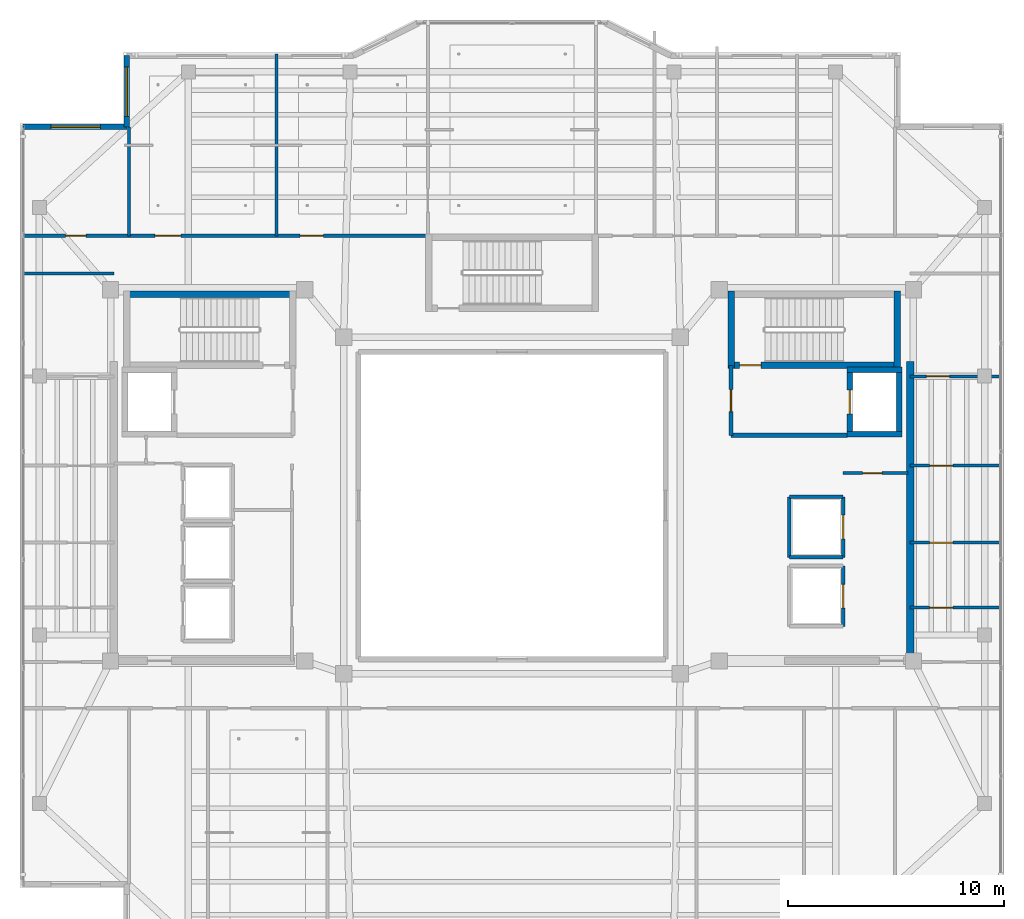
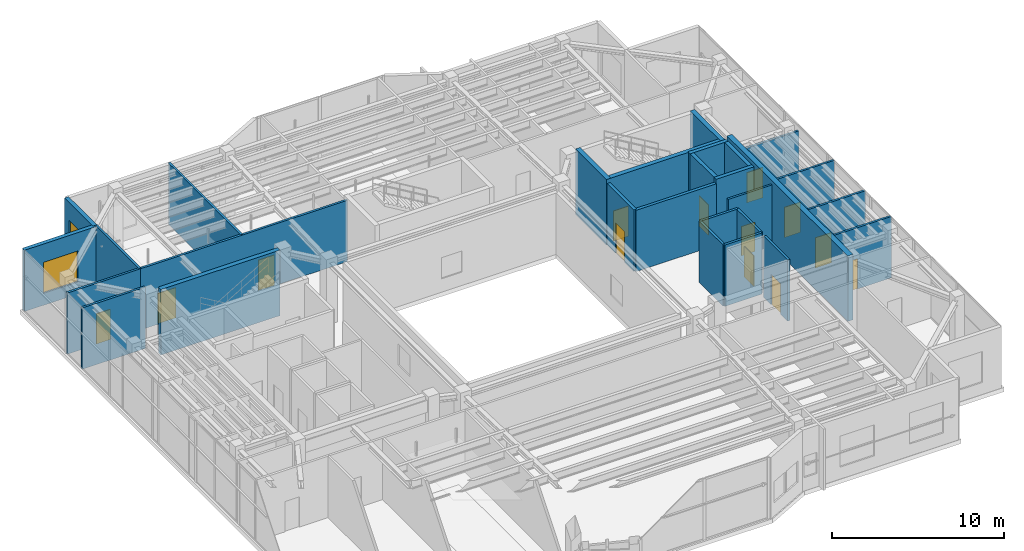
# One storey, part 16 of 25: 28 walls, 13 doors, 2 windows, 15 openings.
"""IFC4 building model written with IfcOpenShell, lengths in metres."""

from ifc_helpers import new_model, si_unit, direction, frame, frame_2d, origin, place, context, subcontext, project, spatial, rectangle, extrude, material, layer, layer_set, type_object, element, fill, save


model = new_model("IFC4")

# Units and contexts
model_context = context("Model", 3, precision=1e-05, world=origin(), true_north=direction((0.0, 1.0)))
body_context = subcontext(model_context, "Body", "Model", "MODEL_VIEW")
ifc_project = project(units=[si_unit("LENGTHUNIT", "METRE"), si_unit("AREAUNIT", "SQUARE_METRE"), si_unit("VOLUMEUNIT", "CUBIC_METRE"), si_unit("PLANEANGLEUNIT", "RADIAN"), si_unit("MASSUNIT", "GRAM", prefix="KILO")], contexts=[model_context])

# Site, building, storey
site_placement = place(None, origin())
site = spatial("IfcSite", under=ifc_project, at=site_placement, CompositionType="ELEMENT")
building_placement = place(site_placement, origin())
building = spatial("IfcBuilding", under=site, at=building_placement, Name="Tarnavaz Court Tower", CompositionType="ELEMENT")
storey_placement = place(building_placement, frame((0.0, 0.0, 271.64990234375)))
storey = spatial("IfcBuildingStorey", under=building, at=storey_placement, Name="L74", CompositionType="ELEMENT", Elevation=271.64990234375)

# Wall, opening, door
ifc_material_1 = material(Name="Concrete C50/60", Category="concrete")
ifc_layer_1 = layer(ifc_material_1, 0.25)
ifc_layer_set_1 = layer_set([ifc_layer_1], Name="Concrete C50/60")
wall_type_1 = type_object("IfcWallType", Name="WL-CORE-250-C50", PredefinedType="SHEAR", material=ifc_layer_set_1)
wall_1_placement = place(storey_placement, frame((15.64990234375, 3.175048828125, 0.0), z_axis=(0.0, 0.0, 1.0), x_axis=(0.0, 1.0, 0.0)))
wall_1 = element("IfcWall", 1, at=wall_1_placement, inside=storey, type_object=wall_type_1, Name="L74 Lift FL-E1 Shaft Wall 033", PredefinedType="SHEAR", context=body_context, shape_type="SweptSolid", body=[
    extrude(rectangle(XDim=3.25, YDim=0.25, at=frame_2d((1.625, 0.0))), origin(), (0.0, 0.0, 1.0), 4.650146484375),
])
opening_1_placement = place(wall_1_placement, frame((1.074951171875, 0.0, 0.0)))
opening_1 = element("IfcOpeningElement", 2, at=opening_1_placement, cuts=wall_1, Name="Opening LD1", PredefinedType="OPENING", context=body_context, shape_type="SweptSolid", body=[
    extrude(rectangle(XDim=1.10009765625, YDim=2.14990234375, at=frame_2d((0.550048828125, 1.074951171875))), frame((0.0, 0.135009765625, 0.0), z_axis=(0.0, -1.0, 0.0), x_axis=(1.0, 0.0, 0.0)), (0.0, 0.0, 1.0), 0.27001953125),
])
ifc_material_2 = material(Name="Stainless Steel", Category="steel")
door_type_1 = type_object("IfcDoorType", Name="DR-LD-1100", OperationType="NOTDEFINED", PredefinedType="DOOR", material=ifc_material_2)
door_1_placement = place(opening_1_placement, origin())
door_1 = element("IfcDoor", 3, at=door_1_placement, inside=storey, type_object=door_type_1, Name="L74 Lift Landing Door LD-FL-E1", OperationType="SLIDING_TO_LEFT", OverallHeight=2.14990234375, OverallWidth=1.10009765625, PredefinedType="DOOR", context=body_context, shape_type="SweptSolid", body=[
    extrude(rectangle(XDim=1.10009765625, YDim=2.14990234375, at=frame_2d((0.550048828125, 1.074951171875))), frame((0.0, 0.02490234375, 0.0), z_axis=(0.0, -1.0, 0.0), x_axis=(1.0, 0.0, 0.0)), (0.0, 0.0, 1.0), 0.050048828125),
])
fill(opening_1, door_1)

# Walls
wall_2_placement = place(storey_placement, frame((17.949951171875, 3.175048828125, 0.0), z_axis=(0.0, 0.0, 1.0), x_axis=(0.0, 1.0, 0.0)))
element("IfcWall", 4, at=wall_2_placement, inside=storey, type_object=wall_type_1, Name="L74 Lift FL-E1 Shaft Wall 034", PredefinedType="SHEAR", context=body_context, shape_type="SweptSolid", body=[
    extrude(rectangle(XDim=3.25, YDim=0.25, at=frame_2d((1.625, 0.0))), origin(), (0.0, 0.0, 1.0), 4.650146484375),
])
for number, where, z_axis, x_axis, name in (
    (5, (15.52490234375, 3.300048828125, 0.0), (0.0, 0.0, 1.0), (1.0, 0.0, 0.0), "L74 Lift FL-E1 Shaft Wall 035"),
    (6, (15.52490234375, 6.300048828125, 0.0), (0.0, 0.0, 1.0), (1.0, 0.0, 0.0), "L74 Lift FL-E1 Shaft Wall 036"),
):
    element("IfcWall", number, at=place(storey_placement, frame(where, z_axis=z_axis, x_axis=x_axis)), inside=storey, type_object=wall_type_1, Name=name, PredefinedType="SHEAR", context=body_context, shape_type="SweptSolid", body=[
        extrude(rectangle(XDim=2.550048828125, YDim=0.25, at=frame_2d((1.27490234375, 0.0))), origin(), (0.0, 0.0, 1.0), 4.650146484375),
    ])
ifc_layer_2 = layer(ifc_material_1, 0.300048828125)
ifc_layer_set_2 = layer_set([ifc_layer_2], Name="Concrete C50/60")
wall_type_2 = type_object("IfcWallType", Name="WL-CORE-300-C50", PredefinedType="SHEAR", material=ifc_layer_set_2)
wall_3_placement = place(storey_placement, frame((-18.0, 9.7900390625, 0.0), z_axis=(0.0, 0.0, 1.0), x_axis=(1.0, 0.0, 0.0)))
element("IfcWall", 7, at=wall_3_placement, inside=storey, type_object=wall_type_2, Name="L74 West Stair Core Wall 001", PredefinedType="SHEAR", context=body_context, shape_type="SweptSolid", body=[
    extrude(rectangle(XDim=8.0, YDim=0.300048828125, at=frame_2d((4.0, 0.0))), origin(), (0.0, 0.0, 1.0), 4.650146484375),
])

# Wall, opening, door
wall_4_placement = place(storey_placement, frame((10.0, 6.5, 0.0), z_axis=(0.0, 0.0, 1.0), x_axis=(1.0, 0.0, 0.0)))
wall_4 = element("IfcWall", 8, at=wall_4_placement, inside=storey, type_object=wall_type_2, Name="L74 East Stair Core Wall 006", PredefinedType="SHEAR", context=body_context, shape_type="SweptSolid", body=[
    extrude(rectangle(XDim=8.0, YDim=0.300048828125, at=frame_2d((4.0, 0.0))), origin(), (0.0, 0.0, 1.0), 4.650146484375),
])
opening_2_placement = place(wall_4_placement, frame((0.550048828125, 0.0, 0.0)))
opening_2 = element("IfcOpeningElement", 9, at=opening_2_placement, cuts=wall_4, Name="Opening D01", PredefinedType="OPENING", context=body_context, shape_type="SweptSolid", body=[
    extrude(rectangle(XDim=1.0, YDim=2.14990234375, at=frame_2d((0.5, 1.074951171875))), frame((0.0, 0.159912109375, 0.0), z_axis=(0.0, -1.0, 0.0), x_axis=(1.0, 0.0, 0.0)), (0.0, 0.0, 1.0), 0.320068359375),
])
ifc_material_3 = material(Name="Fire-Rated Hardwood Timber Core", Category="wood")
door_type_2 = type_object("IfcDoorType", Name="DR-FD90-1000", OperationType="NOTDEFINED", PredefinedType="DOOR", material=ifc_material_3)
door_2_placement = place(opening_2_placement, origin())
door_2 = element("IfcDoor", 10, at=door_2_placement, inside=storey, type_object=door_type_2, Name="L74 Stair ST-E1 Exit Door", OperationType="SINGLE_SWING_RIGHT", OverallHeight=2.14990234375, OverallWidth=1.0, PredefinedType="DOOR", context=body_context, shape_type="SweptSolid", body=[
    extrude(rectangle(XDim=1.0, YDim=2.14990234375, at=frame_2d((0.5, 1.074951171875))), frame((0.0, 0.02490234375, 0.0), z_axis=(0.0, -1.0, 0.0), x_axis=(1.0, 0.0, 0.0)), (0.0, 0.0, 1.0), 0.050048828125),
])
fill(opening_2, door_2)

# Walls
for number, where, z_axis, x_axis, name in (
    (11, (10.14990234375, 6.35009765625, 0.0), (0.0, 0.0, 1.0), (0.0, 1.0, 0.0), "L74 East Stair Core Wall 007"),
    (12, (17.85009765625, 6.35009765625, 0.0), (0.0, 0.0, 1.0), (0.0, 1.0, 0.0), "L74 East Stair Core Wall 008"),
):
    element("IfcWall", number, at=place(storey_placement, frame(where, z_axis=z_axis, x_axis=x_axis)), inside=storey, type_object=wall_type_2, Name=name, PredefinedType="SHEAR", context=body_context, shape_type="SweptSolid", body=[
        extrude(rectangle(XDim=3.58984375, YDim=0.300048828125, at=frame_2d((1.794921875, 0.0))), origin(), (0.0, 0.0, 1.0), 4.650146484375),
    ])
ifc_layer_3 = layer(ifc_material_1, 0.35009765625)
ifc_layer_set_3 = layer_set([ifc_layer_3], Name="Concrete C50/60")
wall_type_3 = type_object("IfcWallType", Name="WL-CORE-350-C50", PredefinedType="SHEAR", material=ifc_layer_set_3)
wall_5_placement = place(storey_placement, frame((18.449951171875, -7.375, 0.0), z_axis=(0.0, 0.0, 1.0), x_axis=(0.0, 1.0, 0.0)))
element("IfcWall", 13, at=wall_5_placement, inside=storey, type_object=wall_type_3, Name="L74 East Core Shear Wall 047", PredefinedType="SHEAR", context=body_context, shape_type="SweptSolid", body=[
    extrude(rectangle(XDim=14.050048828125, YDim=0.35009765625, at=frame_2d((7.02490234375, 0.0))), origin(), (0.0, 0.0, 1.0), 4.650146484375),
])

# Wall, opening, window
ifc_material_4 = material(Name="Precast Concrete C40/50", Category="concrete")
ifc_layer_4 = layer(ifc_material_4, 0.260009765625)
ifc_layer_set_4 = layer_set([ifc_layer_4], Name="Precast Concrete C40/50")
wall_type_4 = type_object("IfcWallType", Name="WL-EXT-260", PredefinedType="SOLIDWALL", material=ifc_layer_set_4)
wall_6_placement = place(storey_placement, frame((-22.64990234375, 17.550048828125, 0.0), z_axis=(0.0, 0.0, 1.0), x_axis=(1.0, 0.0, 0.0)))
wall_6 = element("IfcWall", 14, at=wall_6_placement, inside=storey, type_object=wall_type_4, Name="L74 Exterior Terracotta Facade Wall 03", PredefinedType="SOLIDWALL", context=body_context, shape_type="SweptSolid", body=[
    extrude(rectangle(XDim=4.7998046875, YDim=0.260009765625, at=frame_2d((2.39990234375, 0.0))), origin(), (0.0, 0.0, 1.0), 4.35009765625),
])
opening_3_placement = place(wall_6_placement, frame((1.275390625, 0.0, 0.85009765625)))
opening_3 = element("IfcOpeningElement", 15, at=opening_3_placement, cuts=wall_6, Name="Opening W12", PredefinedType="OPENING", context=body_context, shape_type="SweptSolid", body=[
    extrude(rectangle(XDim=2.300048828125, YDim=2.199951171875, at=frame_2d((1.14990234375, 1.10009765625))), frame((0.0, 0.139892578125, 0.0), z_axis=(0.0, -1.0, 0.0), x_axis=(1.0, 0.0, 0.0)), (0.0, 0.0, 1.0), 0.280029296875),
])
ifc_material_5 = material(Name="Double-Glazed Solar Low-E Glass", Category="glass")
window_type = type_object("IfcWindowType", Name="WN-COM-2300", PartitioningType="DOUBLE_PANEL_VERTICAL", PredefinedType="WINDOW", material=ifc_material_5)
window_1_placement = place(opening_3_placement, origin())
window_1 = element("IfcWindow", 16, at=window_1_placement, inside=storey, type_object=window_type, Name="L74 L74 NW Terrace Salon Window", OverallHeight=2.199951171875, OverallWidth=2.300048828125, PartitioningType="SINGLE_PANEL", PredefinedType="WINDOW", context=body_context, shape_type="SweptSolid", body=[
    extrude(rectangle(XDim=2.300048828125, YDim=2.199951171875, at=frame_2d((1.14990234375, 1.10009765625))), frame((0.0, 0.030029296875, 0.0), z_axis=(0.0, -1.0, 0.0), x_axis=(1.0, 0.0, 0.0)), (0.0, 0.0, 1.0), 0.06005859375),
])
fill(opening_3, window_1)

wall_7_placement = place(storey_placement, frame((-17.85009765625, 17.550048828125, 0.0), z_axis=(0.0, 0.0, 1.0), x_axis=(0.0, 1.0, 0.0)))
wall_7 = element("IfcWall", 17, at=wall_7_placement, inside=storey, type_object=wall_type_4, Name="L74 Exterior Terracotta Facade Wall 04", PredefinedType="SOLIDWALL", context=body_context, shape_type="SweptSolid", body=[
    extrude(rectangle(XDim=3.300048828125, YDim=0.260009765625, at=frame_2d((1.64990234375, 0.0))), origin(), (0.0, 0.0, 1.0), 4.35009765625),
])
opening_4_placement = place(wall_7_placement, frame((0.482421875, 0.0, 0.85009765625)))
opening_4 = element("IfcOpeningElement", 18, at=opening_4_placement, cuts=wall_7, Name="Opening W12", PredefinedType="OPENING", context=body_context, shape_type="SweptSolid", body=[
    extrude(rectangle(XDim=2.300048828125, YDim=2.199951171875, at=frame_2d((1.14990234375, 1.10009765625))), frame((0.0, 0.139892578125, 0.0), z_axis=(0.0, -1.0, 0.0), x_axis=(1.0, 0.0, 0.0)), (0.0, 0.0, 1.0), 0.280029296875),
])
window_2_placement = place(opening_4_placement, origin())
window_2 = element("IfcWindow", 19, at=window_2_placement, inside=storey, type_object=window_type, Name="L74 Public Observation Viewing Deck Window", OverallHeight=2.199951171875, OverallWidth=2.300048828125, PartitioningType="SINGLE_PANEL", PredefinedType="WINDOW", context=body_context, shape_type="SweptSolid", body=[
    extrude(rectangle(XDim=2.300048828125, YDim=2.199951171875, at=frame_2d((1.14990234375, 1.10009765625))), frame((0.0, 0.030029296875, 0.0), z_axis=(0.0, -1.0, 0.0), x_axis=(1.0, 0.0, 0.0)), (0.0, 0.0, 1.0), 0.06005859375),
])
fill(opening_4, window_2)

# Wall, openings, doors
ifc_material_6 = material(Name="Gypsum Fire-Board on Acoustic Metal Stud", Category="masonry")
ifc_layer_5 = layer(ifc_material_6, 0.14990234375)
ifc_layer_set_5 = layer_set([ifc_layer_5], Name="Gypsum Fire-Board on Acoustic Metal Stud")
wall_type_5 = type_object("IfcWallType", Name="WL-FIRE-150", PredefinedType="PARTITIONING", material=ifc_layer_set_5)
wall_8_placement = place(storey_placement, frame((-17.75, 12.5, 0.0), z_axis=(0.0, 0.0, 1.0), x_axis=(1.0, 0.0, 0.0)))
wall_8 = element("IfcWall", 20, at=wall_8_placement, inside=storey, type_object=wall_type_5, Name="L74 NW Wing Corridor Wall 054", PredefinedType="PARTITIONING", context=body_context, shape_type="SweptSolid", body=[
    extrude(rectangle(XDim=13.89990234375, YDim=0.14990234375, at=frame_2d((6.949951171875, 0.0))), origin(), (0.0, 0.0, 1.0), 4.35009765625),
])
opening_5_placement = place(wall_8_placement, frame((1.199951171875, 0.0, 0.0)))
opening_5 = element("IfcOpeningElement", 21, at=opening_5_placement, cuts=wall_8, Name="Opening D11", PredefinedType="OPENING", context=body_context, shape_type="SweptSolid", body=[
    extrude(rectangle(XDim=1.199951171875, YDim=2.14990234375, at=frame_2d((0.60009765625, 1.074951171875))), frame((0.0, 0.0849609375, 0.0), z_axis=(0.0, -1.0, 0.0), x_axis=(1.0, 0.0, 0.0)), (0.0, 0.0, 1.0), 0.169921875),
])
opening_6_placement = place(wall_8_placement, frame((7.930908203125, 0.0, 0.0)))
opening_6 = element("IfcOpeningElement", 22, at=opening_6_placement, cuts=wall_8, Name="Opening D12", PredefinedType="OPENING", context=body_context, shape_type="SweptSolid", body=[
    extrude(rectangle(XDim=1.080078125, YDim=2.14990234375, at=frame_2d((0.5400390625, 1.074951171875))), frame((0.0, 0.0849609375, 0.0), z_axis=(0.0, -1.0, 0.0), x_axis=(1.0, 0.0, 0.0)), (0.0, 0.0, 1.0), 0.169921875),
])
ifc_material_7 = material(Name="Engineered Oak Timber", Category="wood")
door_type_3 = type_object("IfcDoorType", Name="DR-INT-1100", OperationType="NOTDEFINED", PredefinedType="DOOR", material=ifc_material_7)
door_3_placement = place(opening_6_placement, origin())
door_3 = element("IfcDoor", 23, at=door_3_placement, inside=storey, type_object=door_type_3, Name="L74 Skyline Heritage Art Gallery Door", OperationType="SINGLE_SWING_LEFT", OverallHeight=2.14990234375, OverallWidth=1.080078125, PredefinedType="DOOR", context=body_context, shape_type="SweptSolid", body=[
    extrude(rectangle(XDim=1.080078125, YDim=2.14990234375, at=frame_2d((0.5400390625, 1.074951171875))), frame((0.0, 0.02490234375, 0.0), z_axis=(0.0, -1.0, 0.0), x_axis=(1.0, 0.0, 0.0)), (0.0, 0.0, 1.0), 0.050048828125),
])
fill(opening_6, door_3)
door_type_4 = type_object("IfcDoorType", Name="DR-INT-1200", OperationType="NOTDEFINED", PredefinedType="DOOR", material=ifc_material_7)
door_4_placement = place(opening_5_placement, origin())
door_4 = element("IfcDoor", 24, at=door_4_placement, inside=storey, type_object=door_type_4, Name="L74 Public Observation Viewing Deck Door", OperationType="SINGLE_SWING_RIGHT", OverallHeight=2.14990234375, OverallWidth=1.199951171875, PredefinedType="DOOR", context=body_context, shape_type="SweptSolid", body=[
    extrude(rectangle(XDim=1.199951171875, YDim=2.14990234375, at=frame_2d((0.60009765625, 1.074951171875))), frame((0.0, 0.02490234375, 0.0), z_axis=(0.0, -1.0, 0.0), x_axis=(1.0, 0.0, 0.0)), (0.0, 0.0, 1.0), 0.050048828125),
])
fill(opening_5, door_4)

# Wall
wall_9_placement = place(storey_placement, frame((-22.679931640625, 10.75, 0.0), z_axis=(0.0, 0.0, 1.0), x_axis=(1.0, 0.0, 0.0)))
element("IfcWall", 25, at=wall_9_placement, inside=storey, type_object=wall_type_5, Name="L74 Interior Partition 071", PredefinedType="PARTITIONING", context=body_context, shape_type="SweptSolid", body=[
    extrude(rectangle(XDim=4.22998046875, YDim=0.14990234375, at=frame_2d((2.114990234375, 0.0))), origin(), (0.0, 0.0, 1.0), 4.35009765625),
])

# Wall, opening, door
wall_10_placement = place(storey_placement, frame((-22.679931640625, 12.5, 0.0), z_axis=(0.0, 0.0, 1.0), x_axis=(1.0, 0.0, 0.0)))
wall_10 = element("IfcWall", 26, at=wall_10_placement, inside=storey, type_object=wall_type_5, Name="L74 Interior Partition 077", PredefinedType="PARTITIONING", context=body_context, shape_type="SweptSolid", body=[
    extrude(rectangle(XDim=4.929931640625, YDim=0.14990234375, at=frame_2d((2.46484375, 0.0))), origin(), (0.0, 0.0, 1.0), 4.35009765625),
])
opening_7_placement = place(wall_10_placement, frame((1.989990234375, 0.0, 0.0)))
opening_7 = element("IfcOpeningElement", 27, at=opening_7_placement, cuts=wall_10, Name="Opening D13", PredefinedType="OPENING", context=body_context, shape_type="SweptSolid", body=[
    extrude(rectangle(XDim=0.949951171875, YDim=2.14990234375, at=frame_2d((0.47509765625, 1.074951171875))), frame((0.0, 0.0849609375, 0.0), z_axis=(0.0, -1.0, 0.0), x_axis=(1.0, 0.0, 0.0)), (0.0, 0.0, 1.0), 0.169921875),
])
door_type_5 = type_object("IfcDoorType", Name="DR-INT-950", OperationType="NOTDEFINED", PredefinedType="DOOR", material=ifc_material_7)
door_5_placement = place(opening_7_placement, origin())
door_5 = element("IfcDoor", 28, at=door_5_placement, inside=storey, type_object=door_type_5, Name="L74 NW Terrace Salon Door", OperationType="SINGLE_SWING_RIGHT", OverallHeight=2.14990234375, OverallWidth=0.949951171875, PredefinedType="DOOR", context=body_context, shape_type="SweptSolid", body=[
    extrude(rectangle(XDim=0.949951171875, YDim=2.14990234375, at=frame_2d((0.47509765625, 1.074951171875))), frame((0.0, 0.02490234375, 0.0), z_axis=(0.0, -1.0, 0.0), x_axis=(1.0, 0.0, 0.0)), (0.0, 0.0, 1.0), 0.050048828125),
])
fill(opening_7, door_5)

# Wall
ifc_material_8 = material(Name="Autoclaved Aerated Concrete Blockwork", Category="masonry")
ifc_layer_6 = layer(ifc_material_8, 0.199951171875)
ifc_layer_set_6 = layer_set([ifc_layer_6], Name="Autoclaved Aerated Concrete Blockwork")
wall_type_6 = type_object("IfcWallType", Name="WL-FIRE-200", PredefinedType="SOLIDWALL", material=ifc_layer_set_6)
wall_11_placement = place(storey_placement, frame((10.14990234375, 3.25, 0.0), z_axis=(0.0, 0.0, 1.0), x_axis=(1.0, 0.0, 0.0)))
element("IfcWall", 29, at=wall_11_placement, inside=storey, type_object=wall_type_6, Name="L74 East Firefighting Lobby Wall 015", PredefinedType="SOLIDWALL", context=body_context, shape_type="SweptSolid", body=[
    extrude(rectangle(XDim=5.400146484375, YDim=0.199951171875, at=frame_2d((2.7001953125, 0.0))), origin(), (0.0, 0.0, 1.0), 4.35009765625),
])

# Wall, opening, door
wall_12_placement = place(storey_placement, frame((10.14990234375, 3.25, 0.0), z_axis=(0.0, 0.0, 1.0), x_axis=(0.0, 1.0, 0.0)))
wall_12 = element("IfcWall", 30, at=wall_12_placement, inside=storey, type_object=wall_type_6, Name="L74 East Firefighting Lobby Wall 016", PredefinedType="SOLIDWALL", context=body_context, shape_type="SweptSolid", body=[
    extrude(rectangle(XDim=3.25, YDim=0.199951171875, at=frame_2d((1.625, 0.0))), origin(), (0.0, 0.0, 1.0), 4.35009765625),
])
opening_8_placement = place(wall_12_placement, frame((1.10009765625, 0.0, 0.0)))
opening_8 = element("IfcOpeningElement", 31, at=opening_8_placement, cuts=wall_12, Name="Opening D05", PredefinedType="OPENING", context=body_context, shape_type="SweptSolid", body=[
    extrude(rectangle(XDim=1.02001953125, YDim=2.14990234375, at=frame_2d((0.510009765625, 1.074951171875))), frame((0.0, 0.10986328125, 0.0), z_axis=(0.0, -1.0, 0.0), x_axis=(1.0, 0.0, 0.0)), (0.0, 0.0, 1.0), 0.219970703125),
])
door_type_6 = type_object("IfcDoorType", Name="DR-FD60-1000", OperationType="NOTDEFINED", PredefinedType="DOOR", material=ifc_material_3)
door_6_placement = place(opening_8_placement, origin())
door_6 = element("IfcDoor", 32, at=door_6_placement, inside=storey, type_object=door_type_6, Name="L74 East Firefighting Lobby Door", OperationType="SINGLE_SWING_LEFT", OverallHeight=2.14990234375, OverallWidth=1.02001953125, PredefinedType="DOOR", context=body_context, shape_type="SweptSolid", body=[
    extrude(rectangle(XDim=1.02001953125, YDim=2.14990234375, at=frame_2d((0.510009765625, 1.074951171875))), frame((0.0, 0.02490234375, 0.0), z_axis=(0.0, -1.0, 0.0), x_axis=(1.0, 0.0, 0.0)), (0.0, 0.0, 1.0), 0.050048828125),
])
fill(opening_8, door_6)

ifc_material_9 = material(Name="Gypsum Plasterboard Acoustic Partition", Category="masonry")
ifc_layer_7 = layer(ifc_material_9, 0.139892578125)
ifc_layer_set_7 = layer_set([ifc_layer_7], Name="Gypsum Plasterboard Acoustic Partition")
wall_type_7 = type_object("IfcWallType", Name="WL-PART-150", PredefinedType="PARTITIONING", material=ifc_layer_set_7)
wall_13_placement = place(storey_placement, frame((15.35009765625, 1.5, 0.0), z_axis=(0.0, 0.0, 1.0), x_axis=(1.0, 0.0, 0.0)))
wall_13 = element("IfcWall", 33, at=wall_13_placement, inside=storey, type_object=wall_type_7, Name="L74 Interior Partition 053", PredefinedType="PARTITIONING", context=body_context, shape_type="SweptSolid", body=[
    extrude(rectangle(XDim=3.0, YDim=0.139892578125, at=frame_2d((1.5, 0.0))), origin(), (0.0, 0.0, 1.0), 4.35009765625),
])
opening_9_placement = place(wall_13_placement, frame((0.89990234375, 0.0, 0.0)))
opening_9 = element("IfcOpeningElement", 34, at=opening_9_placement, cuts=wall_13, Name="Opening D09", PredefinedType="OPENING", context=body_context, shape_type="SweptSolid", body=[
    extrude(rectangle(XDim=0.89990234375, YDim=2.080078125, at=frame_2d((0.449951171875, 1.0400390625))), frame((0.0, 0.079833984375, 0.0), z_axis=(0.0, -1.0, 0.0), x_axis=(1.0, 0.0, 0.0)), (0.0, 0.0, 1.0), 0.159912109375),
])
door_type_7 = type_object("IfcDoorType", Name="DR-FD30-900", OperationType="NOTDEFINED", PredefinedType="DOOR", material=ifc_material_3)
door_7_placement = place(opening_9_placement, origin())
door_7 = element("IfcDoor", 35, at=door_7_placement, inside=storey, type_object=door_type_7, Name="L74 East Comms Plant Door", OperationType="SINGLE_SWING_LEFT", OverallHeight=2.080078125, OverallWidth=0.89990234375, PredefinedType="DOOR", context=body_context, shape_type="SweptSolid", body=[
    extrude(rectangle(XDim=0.89990234375, YDim=2.080078125, at=frame_2d((0.449951171875, 1.0400390625))), frame((0.0, 0.02490234375, 0.0), z_axis=(0.0, -1.0, 0.0), x_axis=(1.0, 0.0, 0.0)), (0.0, 0.0, 1.0), 0.050048828125),
])
fill(opening_9, door_7)

# Walls
wall_14_placement = place(storey_placement, frame((-10.9189453125, 12.5, 0.0), z_axis=(0.0, 0.0, 1.0), x_axis=(0.0, 1.0, 0.0)))
element("IfcWall", 36, at=wall_14_placement, inside=storey, type_object=wall_type_7, Name="L74 Interior Partition 060", PredefinedType="PARTITIONING", context=body_context, shape_type="SweptSolid", body=[
    extrude(rectangle(XDim=8.419921875, YDim=0.139892578125, at=frame_2d((4.2099609375, 0.0))), origin(), (0.0, 0.0, 1.0), 4.35009765625),
])
wall_15_placement = place(storey_placement, frame((-17.75, 12.5, 0.0), z_axis=(0.0, 0.0, 1.0), x_axis=(0.0, 1.0, 0.0)))
element("IfcWall", 37, at=wall_15_placement, inside=storey, type_object=wall_type_7, Name="L74 Interior Partition 075", PredefinedType="PARTITIONING", context=body_context, shape_type="SweptSolid", body=[
    extrude(rectangle(XDim=5.050048828125, YDim=0.139892578125, at=frame_2d((2.52490234375, 0.0))), origin(), (0.0, 0.0, 1.0), 4.35009765625),
])

# Wall, opening, door
wall_16_placement = place(storey_placement, frame((18.449951171875, -4.73291015625, 0.0), z_axis=(0.0, 0.0, 1.0), x_axis=(1.0, 0.0, 0.0)))
wall_16 = element("IfcWall", 38, at=wall_16_placement, inside=storey, type_object=wall_type_7, Name="L74 Interior Partition 085", PredefinedType="PARTITIONING", context=body_context, shape_type="SweptSolid", body=[
    extrude(rectangle(XDim=4.22998046875, YDim=0.139892578125, at=frame_2d((2.114990234375, 0.0))), origin(), (0.0, 0.0, 1.0), 4.35009765625),
])
opening_10_placement = place(wall_16_placement, frame((0.89990234375, 0.0, 0.0)))
opening_10 = element("IfcOpeningElement", 39, at=opening_10_placement, cuts=wall_16, Name="Opening D12", PredefinedType="OPENING", context=body_context, shape_type="SweptSolid", body=[
    extrude(rectangle(XDim=1.080078125, YDim=2.14990234375, at=frame_2d((0.5400390625, 1.074951171875))), frame((0.0, 0.079833984375, 0.0), z_axis=(0.0, -1.0, 0.0), x_axis=(1.0, 0.0, 0.0)), (0.0, 0.0, 1.0), 0.159912109375),
])
door_8_placement = place(opening_10_placement, origin())
door_8 = element("IfcDoor", 40, at=door_8_placement, inside=storey, type_object=door_type_3, Name="L74 East Suite Room 2 Door", OperationType="SINGLE_SWING_RIGHT", OverallHeight=2.14990234375, OverallWidth=1.080078125, PredefinedType="DOOR", context=body_context, shape_type="SweptSolid", body=[
    extrude(rectangle(XDim=1.080078125, YDim=2.14990234375, at=frame_2d((0.5400390625, 1.074951171875))), frame((0.0, 0.02490234375, 0.0), z_axis=(0.0, -1.0, 0.0), x_axis=(1.0, 0.0, 0.0)), (0.0, 0.0, 1.0), 0.050048828125),
])
fill(opening_10, door_8)

wall_17_placement = place(storey_placement, frame((18.449951171875, -1.72412109375, 0.0), z_axis=(0.0, 0.0, 1.0), x_axis=(1.0, 0.0, 0.0)))
wall_17 = element("IfcWall", 41, at=wall_17_placement, inside=storey, type_object=wall_type_7, Name="L74 Interior Partition 086", PredefinedType="PARTITIONING", context=body_context, shape_type="SweptSolid", body=[
    extrude(rectangle(XDim=4.22998046875, YDim=0.139892578125, at=frame_2d((2.114990234375, 0.0))), origin(), (0.0, 0.0, 1.0), 4.35009765625),
])
opening_11_placement = place(wall_17_placement, frame((0.89990234375, 0.0, 0.0)))
opening_11 = element("IfcOpeningElement", 42, at=opening_11_placement, cuts=wall_17, Name="Opening D12", PredefinedType="OPENING", context=body_context, shape_type="SweptSolid", body=[
    extrude(rectangle(XDim=1.080078125, YDim=2.14990234375, at=frame_2d((0.5400390625, 1.074951171875))), frame((0.0, 0.079833984375, 0.0), z_axis=(0.0, -1.0, 0.0), x_axis=(1.0, 0.0, 0.0)), (0.0, 0.0, 1.0), 0.159912109375),
])
door_9_placement = place(opening_11_placement, origin())
door_9 = element("IfcDoor", 43, at=door_9_placement, inside=storey, type_object=door_type_3, Name="L74 East Suite Room 3 Door", OperationType="SINGLE_SWING_LEFT", OverallHeight=2.14990234375, OverallWidth=1.080078125, PredefinedType="DOOR", context=body_context, shape_type="SweptSolid", body=[
    extrude(rectangle(XDim=1.080078125, YDim=2.14990234375, at=frame_2d((0.5400390625, 1.074951171875))), frame((0.0, 0.02490234375, 0.0), z_axis=(0.0, -1.0, 0.0), x_axis=(1.0, 0.0, 0.0)), (0.0, 0.0, 1.0), 0.050048828125),
])
fill(opening_11, door_9)

wall_18_placement = place(storey_placement, frame((18.449951171875, 1.847900390625, 0.0), z_axis=(0.0, 0.0, 1.0), x_axis=(1.0, 0.0, 0.0)))
wall_18 = element("IfcWall", 44, at=wall_18_placement, inside=storey, type_object=wall_type_7, Name="L74 Interior Partition 087", PredefinedType="PARTITIONING", context=body_context, shape_type="SweptSolid", body=[
    extrude(rectangle(XDim=4.22998046875, YDim=0.139892578125, at=frame_2d((2.114990234375, 0.0))), origin(), (0.0, 0.0, 1.0), 4.35009765625),
])
opening_12_placement = place(wall_18_placement, frame((0.89990234375, 0.0, 0.0)))
opening_12 = element("IfcOpeningElement", 45, at=opening_12_placement, cuts=wall_18, Name="Opening D12", PredefinedType="OPENING", context=body_context, shape_type="SweptSolid", body=[
    extrude(rectangle(XDim=1.080078125, YDim=2.14990234375, at=frame_2d((0.5400390625, 1.074951171875))), frame((0.0, 0.079833984375, 0.0), z_axis=(0.0, -1.0, 0.0), x_axis=(1.0, 0.0, 0.0)), (0.0, 0.0, 1.0), 0.159912109375),
])
door_10_placement = place(opening_12_placement, origin())
door_10 = element("IfcDoor", 46, at=door_10_placement, inside=storey, type_object=door_type_3, Name="L74 East Suite Room 4 Door", OperationType="SINGLE_SWING_RIGHT", OverallHeight=2.14990234375, OverallWidth=1.080078125, PredefinedType="DOOR", context=body_context, shape_type="SweptSolid", body=[
    extrude(rectangle(XDim=1.080078125, YDim=2.14990234375, at=frame_2d((0.5400390625, 1.074951171875))), frame((0.0, 0.02490234375, 0.0), z_axis=(0.0, -1.0, 0.0), x_axis=(1.0, 0.0, 0.0)), (0.0, 0.0, 1.0), 0.050048828125),
])
fill(opening_12, door_10)

wall_19_placement = place(storey_placement, frame((18.449951171875, 5.98291015625, 0.0), z_axis=(0.0, 0.0, 1.0), x_axis=(1.0, 0.0, 0.0)))
wall_19 = element("IfcWall", 47, at=wall_19_placement, inside=storey, type_object=wall_type_7, Name="L74 Interior Partition 088", PredefinedType="PARTITIONING", context=body_context, shape_type="SweptSolid", body=[
    extrude(rectangle(XDim=4.22998046875, YDim=0.139892578125, at=frame_2d((2.114990234375, 0.0))), origin(), (0.0, 0.0, 1.0), 3.93505859375),
])
opening_13_placement = place(wall_19_placement, frame((0.75, 0.0, 0.0)))
opening_13 = element("IfcOpeningElement", 48, at=opening_13_placement, cuts=wall_19, Name="Opening D12", PredefinedType="OPENING", context=body_context, shape_type="SweptSolid", body=[
    extrude(rectangle(XDim=1.080078125, YDim=2.14990234375, at=frame_2d((0.5400390625, 1.074951171875))), frame((0.0, 0.079833984375, 0.0), z_axis=(0.0, -1.0, 0.0), x_axis=(1.0, 0.0, 0.0)), (0.0, 0.0, 1.0), 0.159912109375),
])
door_11_placement = place(opening_13_placement, origin())
door_11 = element("IfcDoor", 49, at=door_11_placement, inside=storey, type_object=door_type_3, Name="L74 East Suite Room 5 Door", OperationType="SINGLE_SWING_LEFT", OverallHeight=2.14990234375, OverallWidth=1.080078125, PredefinedType="DOOR", context=body_context, shape_type="SweptSolid", body=[
    extrude(rectangle(XDim=1.080078125, YDim=2.14990234375, at=frame_2d((0.5400390625, 1.074951171875))), frame((0.0, 0.02490234375, 0.0), z_axis=(0.0, -1.0, 0.0), x_axis=(1.0, 0.0, 0.0)), (0.0, 0.0, 1.0), 0.050048828125),
])
fill(opening_13, door_11)

ifc_layer_8 = layer(ifc_material_8, 0.159912109375)
ifc_layer_set_8 = layer_set([ifc_layer_8], Name="Autoclaved Aerated Concrete Blockwork")
wall_type_8 = type_object("IfcWallType", Name="WL-SHAFT-150", PredefinedType="SOLIDWALL", material=ifc_layer_set_8)
wall_20_placement = place(storey_placement, frame((15.35009765625, -5.60009765625, 0.0), z_axis=(0.0, 0.0, 1.0), x_axis=(0.0, 1.0, 0.0)))
wall_20 = element("IfcWall", 50, at=wall_20_placement, inside=storey, type_object=wall_type_8, Name="L74 Lift PL-OB1 Shaft Wall 038", PredefinedType="SOLIDWALL", context=body_context, shape_type="SweptSolid", body=[
    extrude(rectangle(XDim=2.800048828125, YDim=0.159912109375, at=frame_2d((1.39990234375, 0.0))), origin(), (0.0, 0.0, 1.0), 4.35009765625),
])
opening_14_placement = place(wall_20_placement, frame((0.85009765625, 0.0, 0.0)))
opening_14 = element("IfcOpeningElement", 51, at=opening_14_placement, cuts=wall_20, Name="Opening LD1", PredefinedType="OPENING", context=body_context, shape_type="SweptSolid", body=[
    extrude(rectangle(XDim=1.10009765625, YDim=2.14990234375, at=frame_2d((0.550048828125, 1.074951171875))), frame((0.0, 0.08984375, 0.0), z_axis=(0.0, -1.0, 0.0), x_axis=(1.0, 0.0, 0.0)), (0.0, 0.0, 1.0), 0.179931640625),
])
door_12_placement = place(opening_14_placement, origin())
door_12 = element("IfcDoor", 52, at=door_12_placement, inside=storey, type_object=door_type_1, Name="L74 Lift Landing Door LD-PL-OB1", OperationType="SLIDING_TO_LEFT", OverallHeight=2.14990234375, OverallWidth=1.10009765625, PredefinedType="DOOR", context=body_context, shape_type="SweptSolid", body=[
    extrude(rectangle(XDim=1.10009765625, YDim=2.14990234375, at=frame_2d((0.550048828125, 1.074951171875))), frame((0.0, 0.02490234375, 0.0), z_axis=(0.0, -1.0, 0.0), x_axis=(1.0, 0.0, 0.0)), (0.0, 0.0, 1.0), 0.050048828125),
])
fill(opening_14, door_12)

# Wall
wall_21_placement = place(storey_placement, frame((12.85009765625, -2.39990234375, 0.0), z_axis=(0.0, 0.0, 1.0), x_axis=(0.0, 1.0, 0.0)))
element("IfcWall", 53, at=wall_21_placement, inside=storey, type_object=wall_type_8, Name="L74 Lift PL-OB2 Shaft Wall 041", PredefinedType="SOLIDWALL", context=body_context, shape_type="SweptSolid", body=[
    extrude(rectangle(XDim=2.7998046875, YDim=0.159912109375, at=frame_2d((1.39990234375, 0.0))), origin(), (0.0, 0.0, 1.0), 4.35009765625),
])

# Wall, opening, door
wall_22_placement = place(storey_placement, frame((15.35009765625, -2.39990234375, 0.0), z_axis=(0.0, 0.0, 1.0), x_axis=(0.0, 1.0, 0.0)))
wall_22 = element("IfcWall", 54, at=wall_22_placement, inside=storey, type_object=wall_type_8, Name="L74 Lift PL-OB2 Shaft Wall 042", PredefinedType="SOLIDWALL", context=body_context, shape_type="SweptSolid", body=[
    extrude(rectangle(XDim=2.7998046875, YDim=0.159912109375, at=frame_2d((1.39990234375, 0.0))), origin(), (0.0, 0.0, 1.0), 4.35009765625),
])
opening_15_placement = place(wall_22_placement, frame((0.85009765625, 0.0, 0.0)))
opening_15 = element("IfcOpeningElement", 55, at=opening_15_placement, cuts=wall_22, Name="Opening LD1", PredefinedType="OPENING", context=body_context, shape_type="SweptSolid", body=[
    extrude(rectangle(XDim=1.10009765625, YDim=2.14990234375, at=frame_2d((0.550048828125, 1.074951171875))), frame((0.0, 0.08984375, 0.0), z_axis=(0.0, -1.0, 0.0), x_axis=(1.0, 0.0, 0.0)), (0.0, 0.0, 1.0), 0.179931640625),
])
door_13_placement = place(opening_15_placement, origin())
door_13 = element("IfcDoor", 56, at=door_13_placement, inside=storey, type_object=door_type_1, Name="L74 Lift Landing Door LD-PL-OB2", OperationType="SLIDING_TO_LEFT", OverallHeight=2.14990234375, OverallWidth=1.10009765625, PredefinedType="DOOR", context=body_context, shape_type="SweptSolid", body=[
    extrude(rectangle(XDim=1.10009765625, YDim=2.14990234375, at=frame_2d((0.550048828125, 1.074951171875))), frame((0.0, 0.02490234375, 0.0), z_axis=(0.0, -1.0, 0.0), x_axis=(1.0, 0.0, 0.0)), (0.0, 0.0, 1.0), 0.050048828125),
])
fill(opening_15, door_13)

# Walls
for number, where, z_axis, x_axis, name in (
    (57, (12.85009765625, -2.39990234375, 0.0), (0.0, 0.0, 1.0), (1.0, 0.0, 0.0), "L74 Lift PL-OB2 Shaft Wall 043"),
    (58, (12.85009765625, 0.39990234375, 0.0), (0.0, 0.0, 1.0), (1.0, 0.0, 0.0), "L74 Lift PL-OB2 Shaft Wall 044"),
):
    element("IfcWall", number, at=place(storey_placement, frame(where, z_axis=z_axis, x_axis=x_axis)), inside=storey, type_object=wall_type_8, Name=name, PredefinedType="SOLIDWALL", context=body_context, shape_type="SweptSolid", body=[
        extrude(rectangle(XDim=2.5, YDim=0.159912109375, at=frame_2d((1.25, 0.0))), origin(), (0.0, 0.0, 1.0), 4.35009765625),
    ])

save(model, "model.ifc")
